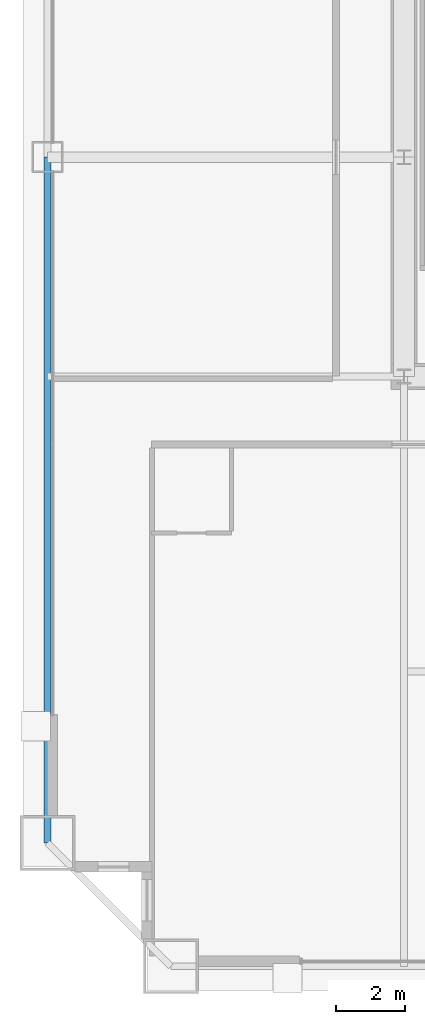
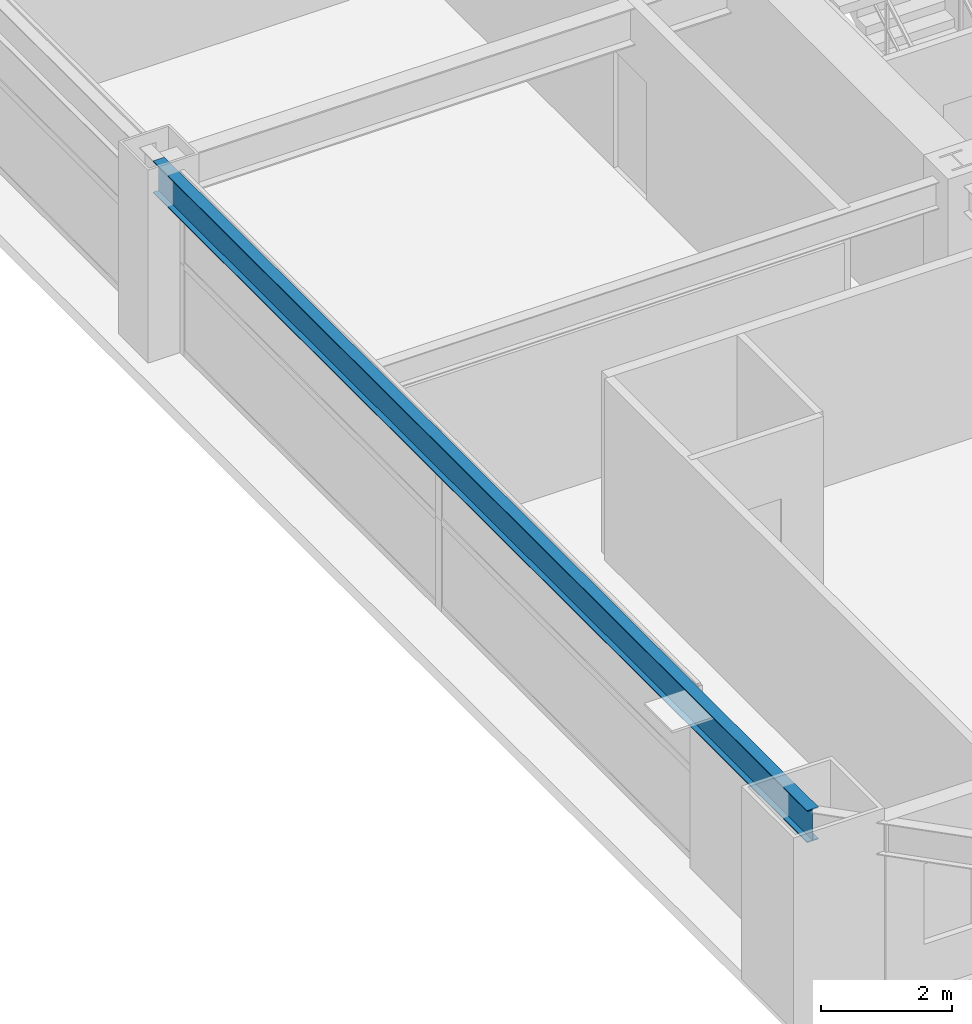
# One storey, part 6 of 37: 1 beam.
"""IFC4 building model written with IfcOpenShell, lengths in metres."""

import ifcopenshell
import ifcopenshell.guid

model = None  # the IFC model being written
_history = None  # IfcOwnerHistory: only IFC2X3 demands one
_inside = {}  # id of a spatial element -> (the spatial element, [elements in it])
_under = {}  # id of a project, library or spatial element -> (it, [spatial elements below it])
_declared = {}  # id of a project -> (the project, [libraries it declares])
_typed = {}  # id of a type object -> (the type object, [elements of that type])
_made_of = {}  # id of a material, layer set ... -> (it, [elements and type objects made of it])


def new_model(schema):
    """Start an empty IFC model of exactly this schema.

    Asked for "IFC4X3", IfcOpenShell would pick the latest addendum, in which some entities
    have other attributes; the version numbers below select the first issue.
    IFC2X3 requires an IfcOwnerHistory on every rooted entity: one is made here for all.
    """
    global model, _history
    if schema == "IFC4X3":
        model = ifcopenshell.file(schema_version=(4, 3, 0, 0))
    else:
        model = ifcopenshell.file(schema=schema)
    _inside.clear()
    _under.clear()
    _declared.clear()
    _typed.clear()
    _made_of.clear()
    _history = None
    if model.schema == "IFC2X3":
        org = make("IfcOrganization", Name="unknown")
        user = make(
            "IfcPersonAndOrganization",
            ThePerson=make("IfcPerson", FamilyName="unknown"),
            TheOrganization=org,
        )
        app = make(
            "IfcApplication",
            ApplicationDeveloper=org,
            Version="unknown",
            ApplicationFullName="unknown",
            ApplicationIdentifier="unknown",
        )
        _history = make(
            "IfcOwnerHistory",
            OwningUser=user,
            OwningApplication=app,
            ChangeAction="ADDED",
            CreationDate=0,
        )
    return model


def make(cls, **values):
    """One entity of the class cls with the attributes given. An attribute that is None is left unset."""
    return model.create_entity(
        cls, **{name: value for name, value in values.items() if value is not None}
    )


def rooted(cls, **values):
    """An entity with a GlobalId (a new one), such as an element, a storey or a relation."""
    return make(cls, GlobalId=ifcopenshell.guid.new(), OwnerHistory=_history, **values)


def si_unit(unit_type, name, prefix=None):
    """IfcSIUnit, for example si_unit("LENGTHUNIT", "METRE", prefix="MILLI")."""
    return make("IfcSIUnit", UnitType=unit_type, Prefix=prefix, Name=name)


def assignment(units):
    """IfcUnitAssignment: the units of a project."""
    return None if units is None else make("IfcUnitAssignment", Units=units)


def point(xyz):
    """IfcCartesianPoint."""
    return None if xyz is None else make("IfcCartesianPoint", Coordinates=xyz)


def direction(xyz):
    """IfcDirection."""
    return None if xyz is None else make("IfcDirection", DirectionRatios=xyz)


def frame(location, z_axis=None, x_axis=None):
    """IfcAxis2Placement3D, a coordinate frame: its origin and axes. An axis left out is left unset."""
    return make(
        "IfcAxis2Placement3D",
        Location=point(location),
        Axis=direction(z_axis),
        RefDirection=direction(x_axis),
    )


def frame_2d(location, x_axis=None):
    """IfcAxis2Placement2D, a coordinate frame in the plane: its origin and x axis."""
    return make(
        "IfcAxis2Placement2D", Location=point(location), RefDirection=direction(x_axis)
    )


def origin():
    """The frame at (0, 0, 0) with its axes left unset."""
    return frame((0.0, 0.0, 0.0))


def origin_2d():
    """The frame at (0, 0) in the plane with its x axis left unset."""
    return frame_2d((0.0, 0.0))


def place(relative_to, where):
    """IfcLocalPlacement: puts the frame where relative to a parent placement (None: the world)."""
    return make(
        "IfcLocalPlacement", PlacementRelTo=relative_to, RelativePlacement=where
    )


def context(
    kind, dimensions, precision=None, world=None, true_north=None, identifier=None
):
    """IfcGeometricRepresentationContext, for example the 3D "Model" context."""
    return make(
        "IfcGeometricRepresentationContext",
        ContextIdentifier=identifier,
        ContextType=kind,
        CoordinateSpaceDimension=dimensions,
        Precision=precision,
        WorldCoordinateSystem=world,
        TrueNorth=true_north,
    )


def subcontext(parent, identifier, kind, view, scale=None):
    """IfcGeometricRepresentationSubContext, for example "Body" below "Model"."""
    return make(
        "IfcGeometricRepresentationSubContext",
        ContextIdentifier=identifier,
        ContextType=kind,
        ParentContext=parent,
        TargetScale=scale,
        TargetView=view,
    )


def project(units=None, contexts=None):
    """IfcProject with its units and contexts."""
    return rooted(
        "IfcProject",
        Name="project",
        RepresentationContexts=contexts,
        UnitsInContext=assignment(units),
    )


def spatial(cls, under=None, at=None, **own):
    """A site, building, storey or space (cls), placed at a placement, below another one or the project."""
    s = rooted(cls, ObjectPlacement=at, **own)
    if under is not None:
        _under.setdefault(under.id(), (under, []))[1].append(s)
    return s


def profile(cls, at=None, kind="AREA", **sizes):
    """A parametric profile (cls). Its sizes go by their IFC names, for example OverallWidth=200.0."""
    return make(cls, ProfileType=kind, Position=at, **sizes)


def i_section(**sizes):
    """IfcIShapeProfileDef."""
    return profile("IfcIShapeProfileDef", **sizes)


def extrude(swept, where, along, depth):
    """IfcExtrudedAreaSolid: the profile swept, set in the frame where, extruded along a direction by depth."""
    return make(
        "IfcExtrudedAreaSolid",
        SweptArea=swept,
        Position=where,
        ExtrudedDirection=direction(along),
        Depth=depth,
    )


def shape(context_of_items, identifier, shape_type, items):
    """IfcShapeRepresentation: the items that make up one representation, for example the "Body"."""
    return make(
        "IfcShapeRepresentation",
        ContextOfItems=context_of_items,
        RepresentationIdentifier=identifier,
        RepresentationType=shape_type,
        Items=items,
    )


def source(mapping_origin, context_of_items, identifier, shape_type, items):
    """IfcRepresentationMap: a shape defined once, which mapped items show again and again."""
    return make(
        "IfcRepresentationMap",
        MappingOrigin=mapping_origin,
        MappedRepresentation=shape(context_of_items, identifier, shape_type, items),
    )


def transform(
    local_origin,
    x_axis=None,
    y_axis=None,
    z_axis=None,
    scale=None,
    scale2=None,
    scale3=None,
    uniform=True,
):
    """IfcCartesianTransformationOperator3D, or its non-uniform kind. x_axis, y_axis, z_axis: its Axis1, 2, 3."""
    if uniform:
        return make(
            "IfcCartesianTransformationOperator3D",
            Axis1=direction(x_axis),
            Axis2=direction(y_axis),
            LocalOrigin=point(local_origin),
            Scale=scale,
            Axis3=direction(z_axis),
        )
    return make(
        "IfcCartesianTransformationOperator3DnonUniform",
        Axis1=direction(x_axis),
        Axis2=direction(y_axis),
        LocalOrigin=point(local_origin),
        Scale=scale,
        Axis3=direction(z_axis),
        Scale2=scale2,
        Scale3=scale3,
    )


def mapped(mapping_source, mapping_target):
    """IfcMappedItem: shows the shape of a source again, moved by a transform."""
    return make(
        "IfcMappedItem", MappingSource=mapping_source, MappingTarget=mapping_target
    )


def material(Name=None, Category=None):
    """IfcMaterial."""
    return make("IfcMaterial", Name=Name, Category=Category)


def material_profile(
    of_material, cross_section, Name=None, Category=None, Priority=None
):
    """IfcMaterialProfile: a cross section and its material."""
    return make(
        "IfcMaterialProfile",
        Name=Name,
        Material=of_material,
        Profile=cross_section,
        Priority=Priority,
        Category=Category,
    )


def profile_set(profiles, Name=None, composite=None):
    """IfcMaterialProfileSet."""
    return make(
        "IfcMaterialProfileSet",
        Name=Name,
        MaterialProfiles=profiles,
        CompositeProfile=composite,
    )


def made_of(thing, what):
    """Note that an element or type object is made of a material, layer set ...; save() writes the relation."""
    if what is not None:
        _made_of.setdefault(what.id(), (what, []))[1].append(thing)
    return thing


def type_object(cls, material=None, **own):
    """A type object (cls), such as IfcWallType, which elements share."""
    return made_of(rooted(cls, **own), material)


def element(
    cls,
    number,
    at=None,
    inside=None,
    cuts=None,
    type_object=None,
    material=None,
    context=None,
    identifier="Body",
    shape_type=None,
    held_by="IfcProductDefinitionShape",
    body=None,
    shapes=None,
    **own,
):
    """One element of the class cls, such as IfcWall. Its Tag is "e" and its number.

    at: its placement. inside: the storey or other place that contains it. cuts: it is an
    opening in that element (IfcRelVoidsElement). A single representation is given by context,
    identifier, shape_type and body (its items); several are given by shapes. held_by: the class
    of the entity that holds the representations. save() writes the other relations.
    """
    e = rooted(cls, Tag="e%d" % number, ObjectPlacement=at, **own)
    if body is not None:
        shapes = [shape(context, identifier, shape_type, body)]
    if shapes is not None:
        e.Representation = make(held_by, Representations=shapes)
    if inside is not None:
        _inside.setdefault(inside.id(), (inside, []))[1].append(e)
    if cuts is not None:
        rooted(
            "IfcRelVoidsElement", RelatingBuildingElement=cuts, RelatedOpeningElement=e
        )
    if type_object is not None:
        _typed.setdefault(type_object.id(), (type_object, []))[1].append(e)
    return made_of(e, material)


def aggregate(whole, parts):
    """IfcRelAggregates: a whole, such as a stair, and the parts it consists of."""
    return rooted("IfcRelAggregates", RelatingObject=whole, RelatedObjects=parts)


def save(model, path):
    """Write the relations noted so far, then the file.

    IfcRelAggregates (storeys below a building ...), IfcRelContainedInSpatialStructure (elements
    in a storey), IfcRelDefinesByType, IfcRelAssociatesMaterial and IfcRelDeclares: one each for
    every whole, place, type object, material and project.
    """
    for whole, parts in _under.values():
        aggregate(whole, parts)
    for where, things in _inside.values():
        rooted(
            "IfcRelContainedInSpatialStructure",
            RelatedElements=things,
            RelatingStructure=where,
        )
    for kind, things in _typed.values():
        rooted("IfcRelDefinesByType", RelatedObjects=things, RelatingType=kind)
    for what, things in _made_of.values():
        rooted("IfcRelAssociatesMaterial", RelatedObjects=things, RelatingMaterial=what)
    for by, libraries in _declared.values():
        rooted("IfcRelDeclares", RelatingContext=by, RelatedDefinitions=libraries)
    model.write(path)


model = new_model("IFC4")

# Units and contexts
model_context = context("Model", 3, precision=1e-05, world=origin(), true_north=direction((0.0, 1.0)))
body_context = subcontext(model_context, "Body", "Model", "MODEL_VIEW")
ifc_project = project(units=[si_unit("LENGTHUNIT", "METRE"), si_unit("AREAUNIT", "SQUARE_METRE"), si_unit("VOLUMEUNIT", "CUBIC_METRE"), si_unit("PLANEANGLEUNIT", "RADIAN"), si_unit("MASSUNIT", "GRAM", prefix="KILO"), si_unit("THERMODYNAMICTEMPERATUREUNIT", "KELVIN"), si_unit("POWERUNIT", "WATT")], contexts=[model_context])

# Site, building, storey
site_placement = place(None, origin())
site = spatial("IfcSite", under=ifc_project, at=site_placement, CompositionType="ELEMENT")
building_placement = place(site_placement, origin())
building = spatial("IfcBuilding", under=site, at=building_placement, Name="Yuzanri Waterfront Tower", CompositionType="ELEMENT")
storey_placement = place(building_placement, frame((0.0, 0.0, 104.60009765625)))
storey = spatial("IfcBuildingStorey", under=building, at=storey_placement, Name="L27", CompositionType="ELEMENT", Elevation=104.60009765625)

# Beam
ifc_material = material(Name="Steel Q355B", Category="steel")
ifc_material_profile = material_profile(ifc_material, i_section(OverallWidth=0.199951171875, OverallDepth=0.60009765625, WebThickness=0.010986328125, FlangeThickness=0.01708984375, at=origin_2d()), Name="HN 600x200x11x17")
ifc_profile_set = profile_set([ifc_material_profile], Name="Steel Q355B")
beam_type = type_object("IfcBeamType", Name="Perimeter Spandrel Q355B HN 600x200", PredefinedType="SPANDREL", material=ifc_profile_set)
shared_shape = source(origin(), body_context, "Body", "SweptSolid", [
    extrude(i_section(OverallWidth=0.199951171875, OverallDepth=0.60009765625, WebThickness=0.010986328125, FlangeThickness=0.01708984375, at=origin_2d()), origin(), (0.0, 0.0, 1.0), 20.0),
])
beam_placement = place(storey_placement, frame((13.39990234375, 25.800048828125, 3.079833984375), z_axis=(0.0, -1.0, 0.0), x_axis=(1.0, 0.0, 0.0)))
element("IfcBeam", 1, at=beam_placement, inside=storey, type_object=beam_type, Name="L27 Perimeter Spandrel W2-W1", PredefinedType="SPANDREL", context=body_context, shape_type="MappedRepresentation", body=[
    mapped(shared_shape, transform((0.0, 0.0, 0.0), scale=1.0)),
])

save(model, "model.ifc")
